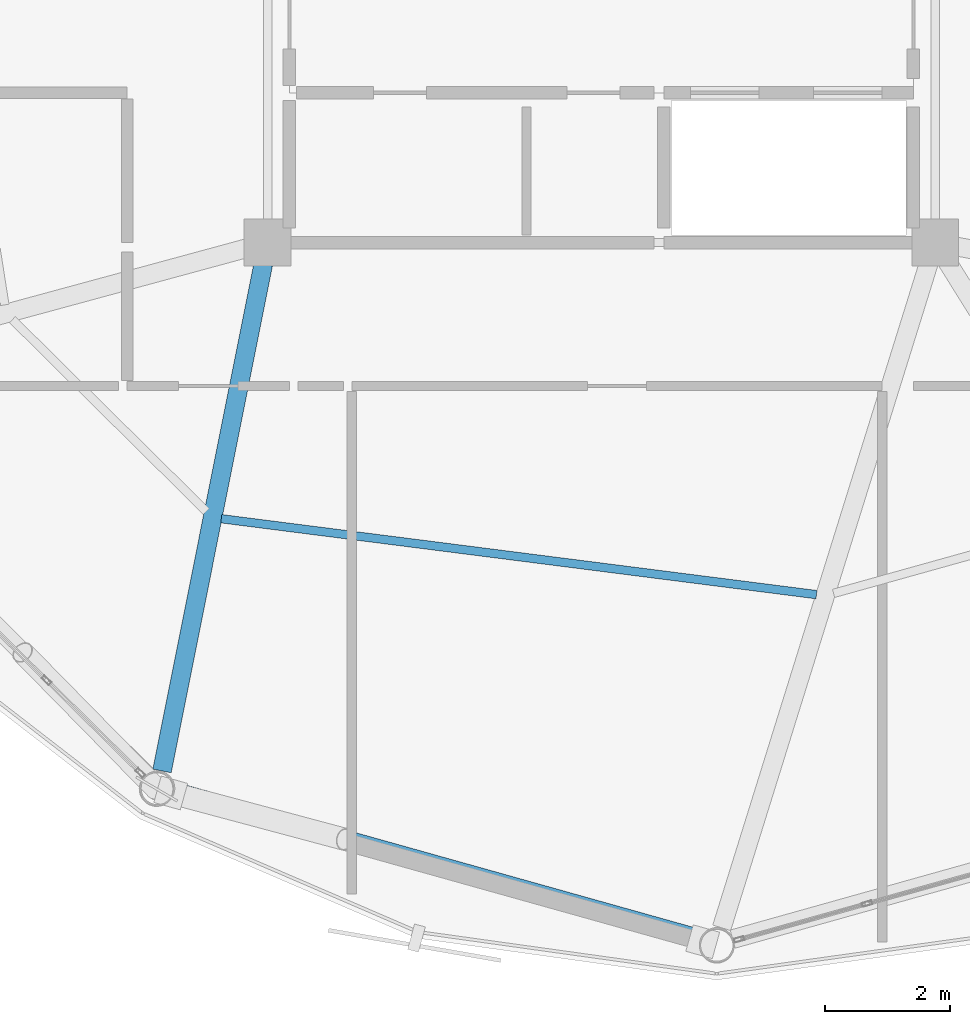
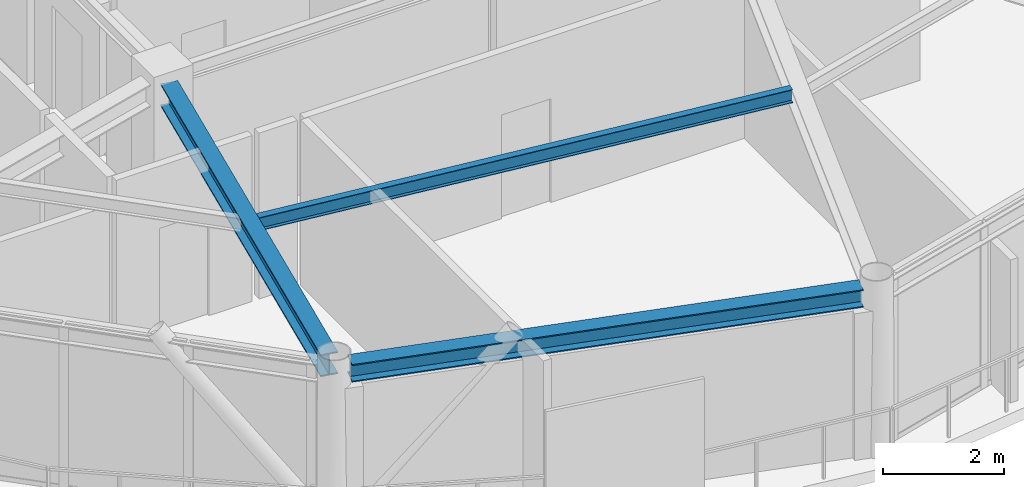
# One storey, part 3 of 26: 3 beams.
"""IFC4 building model written with IfcOpenShell, lengths in metres."""

from ifc_helpers import new_model, si_unit, direction, frame, origin, origin_2d, place, context, subcontext, project, spatial, i_section, extrude, material, material_profile, profile_set, type_object, element, save


model = new_model("IFC4")

# Units and contexts
model_context = context("Model", 3, precision=1e-05, world=origin(), true_north=direction((0.0, 1.0)))
body_context = subcontext(model_context, "Body", "Model", "MODEL_VIEW")
ifc_project = project(units=[si_unit("LENGTHUNIT", "METRE"), si_unit("AREAUNIT", "SQUARE_METRE"), si_unit("VOLUMEUNIT", "CUBIC_METRE"), si_unit("PLANEANGLEUNIT", "RADIAN"), si_unit("MASSUNIT", "GRAM", prefix="KILO")], contexts=[model_context])

# Site, building, storey
site_placement = place(None, origin())
site = spatial("IfcSite", under=ifc_project, at=site_placement, CompositionType="ELEMENT")
building_placement = place(site_placement, origin())
building = spatial("IfcBuilding", under=site, at=building_placement, Name="Varnakorn Sky Granary", CompositionType="ELEMENT")
storey_placement = place(building_placement, frame((0.0, 0.0, 270.60009765625)))
storey = spatial("IfcBuildingStorey", under=building, at=storey_placement, Name="L69", CompositionType="ELEMENT", Elevation=270.60009765625)

# Beams
ifc_material = material(Name="Steel S355JR", Category="steel")
ifc_material_profile_1 = material_profile(ifc_material, i_section(OverallWidth=0.300048828125, OverallDepth=0.449951171875, WebThickness=0.013916015625, FlangeThickness=0.02587890625, at=origin_2d()), Name="HE 450 B")
ifc_profile_set_1 = profile_set([ifc_material_profile_1], Name="Steel S355JR")
beam_type_1 = type_object("IfcBeamType", Name="BM-RAD-Z5", PredefinedType="BEAM", material=ifc_profile_set_1)
beam_1_placement = place(storey_placement, frame((-2.41943359375, -6.947998046875, 3.135009765625), z_axis=(-0.195838331143, -0.980636195566, 0.0), x_axis=(0.980636195566, -0.195838331143, 0.0)))
element("IfcBeam", 1, at=beam_1_placement, inside=storey, type_object=beam_type_1, Name="Radial Floor Girder RG09 L69", PredefinedType="BEAM", context=body_context, shape_type="SweptSolid", body=[
    extrude(i_section(OverallWidth=0.300048828125, OverallDepth=0.449951171875, WebThickness=0.013916015625, FlangeThickness=0.02587890625, at=origin_2d()), origin(), (0.0, 0.0, 1.0), 8.281494140625),
])
ifc_material_profile_2 = material_profile(ifc_material, i_section(OverallWidth=0.135009765625, OverallDepth=0.27001953125, WebThickness=0.006591796875, FlangeThickness=0.01025390625, at=origin_2d()), Name="IPE 270")
ifc_profile_set_2 = profile_set([ifc_material_profile_2], Name="Steel S355JR")
beam_type_2 = type_object("IfcBeamType", Name="BM-SEC-Z5", PredefinedType="BEAM", material=ifc_profile_set_2)
beam_2_placement = place(storey_placement, frame((-3.091552734375, -11.0263671875, 3.224853515625), z_axis=(0.991965852242, -0.126505920757, 0.0), x_axis=(0.126505920757, 0.991965852242, 0.0)))
element("IfcBeam", 2, at=beam_2_placement, inside=storey, type_object=beam_type_2, Name="Secondary Floor Chord Beam MSB09 L69", PredefinedType="BEAM", context=body_context, shape_type="SweptSolid", body=[
    extrude(i_section(OverallWidth=0.135009765625, OverallDepth=0.27001953125, WebThickness=0.006591796875, FlangeThickness=0.01025390625, at=origin_2d()), origin(), (0.0, 0.0, 1.0), 9.616455078125),
])
ifc_material_profile_3 = material_profile(ifc_material, i_section(OverallWidth=0.300048828125, OverallDepth=0.360107421875, WebThickness=0.012451171875, FlangeThickness=0.0224609375, at=origin_2d()), Name="HE 360 B")
ifc_profile_set_3 = profile_set([ifc_material_profile_3], Name="Steel S355JR")
beam_type_3 = type_object("IfcBeamType", Name="BM-SPD-Z5", PredefinedType="SPANDREL", material=ifc_profile_set_3)
beam_3_placement = place(storey_placement, frame((-3.83837890625, -15.39990234375, 3.179931640625), z_axis=(0.96289392895, -0.269880124482, 0.0), x_axis=(0.269880124482, 0.96289392895, 0.0)))
element("IfcBeam", 3, at=beam_3_placement, inside=storey, type_object=beam_type_3, Name="Perimeter Spandrel Ring Beam RB09 L69", PredefinedType="SPANDREL", context=body_context, shape_type="SweptSolid", body=[
    extrude(i_section(OverallWidth=0.300048828125, OverallDepth=0.360107421875, WebThickness=0.012451171875, FlangeThickness=0.0224609375, at=origin_2d()), origin(), (0.0, 0.0, 1.0), 8.758544921875),
])

save(model, "model.ifc")
